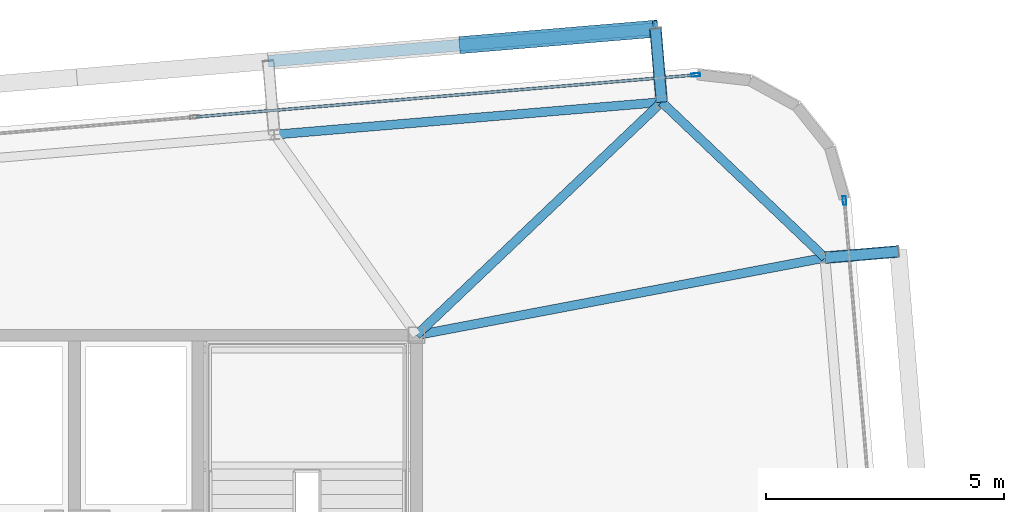
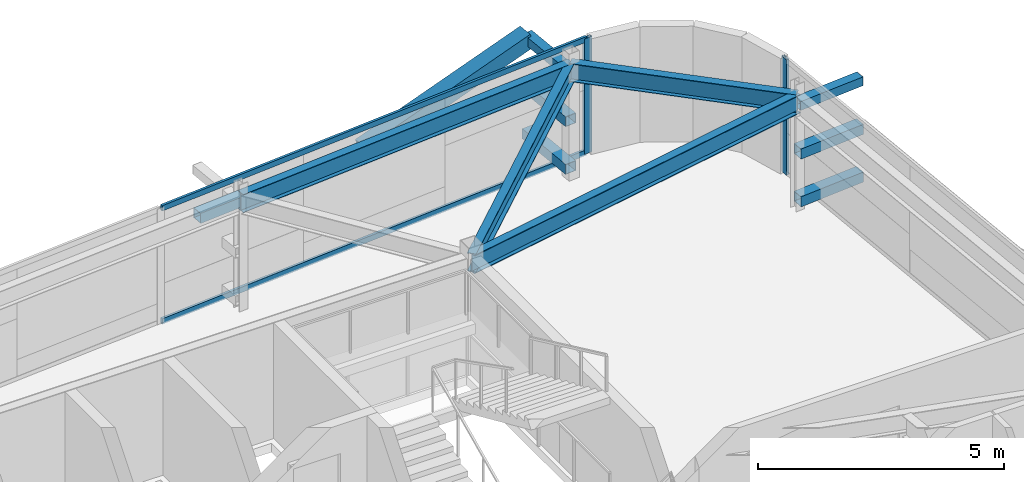
# One storey, part 25 of 39: 12 members, 4 beams, 2 elements without a shape of their own.
"""IFC4 building model written with IfcOpenShell, lengths in metres."""

import ifcopenshell
import ifcopenshell.guid

model = None  # the IFC model being written
_history = None  # IfcOwnerHistory: only IFC2X3 demands one
_inside = {}  # id of a spatial element -> (the spatial element, [elements in it])
_under = {}  # id of a project, library or spatial element -> (it, [spatial elements below it])
_declared = {}  # id of a project -> (the project, [libraries it declares])
_typed = {}  # id of a type object -> (the type object, [elements of that type])
_made_of = {}  # id of a material, layer set ... -> (it, [elements and type objects made of it])


def new_model(schema):
    """Start an empty IFC model of exactly this schema.

    Asked for "IFC4X3", IfcOpenShell would pick the latest addendum, in which some entities
    have other attributes; the version numbers below select the first issue.
    IFC2X3 requires an IfcOwnerHistory on every rooted entity: one is made here for all.
    """
    global model, _history
    if schema == "IFC4X3":
        model = ifcopenshell.file(schema_version=(4, 3, 0, 0))
    else:
        model = ifcopenshell.file(schema=schema)
    _inside.clear()
    _under.clear()
    _declared.clear()
    _typed.clear()
    _made_of.clear()
    _history = None
    if model.schema == "IFC2X3":
        org = make("IfcOrganization", Name="unknown")
        user = make(
            "IfcPersonAndOrganization",
            ThePerson=make("IfcPerson", FamilyName="unknown"),
            TheOrganization=org,
        )
        app = make(
            "IfcApplication",
            ApplicationDeveloper=org,
            Version="unknown",
            ApplicationFullName="unknown",
            ApplicationIdentifier="unknown",
        )
        _history = make(
            "IfcOwnerHistory",
            OwningUser=user,
            OwningApplication=app,
            ChangeAction="ADDED",
            CreationDate=0,
        )
    return model


def make(cls, **values):
    """One entity of the class cls with the attributes given. An attribute that is None is left unset."""
    return model.create_entity(
        cls, **{name: value for name, value in values.items() if value is not None}
    )


def rooted(cls, **values):
    """An entity with a GlobalId (a new one), such as an element, a storey or a relation."""
    return make(cls, GlobalId=ifcopenshell.guid.new(), OwnerHistory=_history, **values)


def si_unit(unit_type, name, prefix=None):
    """IfcSIUnit, for example si_unit("LENGTHUNIT", "METRE", prefix="MILLI")."""
    return make("IfcSIUnit", UnitType=unit_type, Prefix=prefix, Name=name)


def assignment(units):
    """IfcUnitAssignment: the units of a project."""
    return None if units is None else make("IfcUnitAssignment", Units=units)


def point(xyz):
    """IfcCartesianPoint."""
    return None if xyz is None else make("IfcCartesianPoint", Coordinates=xyz)


def direction(xyz):
    """IfcDirection."""
    return None if xyz is None else make("IfcDirection", DirectionRatios=xyz)


def frame(location, z_axis=None, x_axis=None):
    """IfcAxis2Placement3D, a coordinate frame: its origin and axes. An axis left out is left unset."""
    return make(
        "IfcAxis2Placement3D",
        Location=point(location),
        Axis=direction(z_axis),
        RefDirection=direction(x_axis),
    )


def frame_2d(location, x_axis=None):
    """IfcAxis2Placement2D, a coordinate frame in the plane: its origin and x axis."""
    return make(
        "IfcAxis2Placement2D", Location=point(location), RefDirection=direction(x_axis)
    )


def origin():
    """The frame at (0, 0, 0) with its axes left unset."""
    return frame((0.0, 0.0, 0.0))


def origin_2d():
    """The frame at (0, 0) in the plane with its x axis left unset."""
    return frame_2d((0.0, 0.0))


def place(relative_to, where):
    """IfcLocalPlacement: puts the frame where relative to a parent placement (None: the world)."""
    return make(
        "IfcLocalPlacement", PlacementRelTo=relative_to, RelativePlacement=where
    )


def context(
    kind, dimensions, precision=None, world=None, true_north=None, identifier=None
):
    """IfcGeometricRepresentationContext, for example the 3D "Model" context."""
    return make(
        "IfcGeometricRepresentationContext",
        ContextIdentifier=identifier,
        ContextType=kind,
        CoordinateSpaceDimension=dimensions,
        Precision=precision,
        WorldCoordinateSystem=world,
        TrueNorth=true_north,
    )


def subcontext(parent, identifier, kind, view, scale=None):
    """IfcGeometricRepresentationSubContext, for example "Body" below "Model"."""
    return make(
        "IfcGeometricRepresentationSubContext",
        ContextIdentifier=identifier,
        ContextType=kind,
        ParentContext=parent,
        TargetScale=scale,
        TargetView=view,
    )


def project(units=None, contexts=None):
    """IfcProject with its units and contexts."""
    return rooted(
        "IfcProject",
        Name="project",
        RepresentationContexts=contexts,
        UnitsInContext=assignment(units),
    )


def spatial(cls, under=None, at=None, **own):
    """A site, building, storey or space (cls), placed at a placement, below another one or the project."""
    s = rooted(cls, ObjectPlacement=at, **own)
    if under is not None:
        _under.setdefault(under.id(), (under, []))[1].append(s)
    return s


def profile(cls, at=None, kind="AREA", **sizes):
    """A parametric profile (cls). Its sizes go by their IFC names, for example OverallWidth=200.0."""
    return make(cls, ProfileType=kind, Position=at, **sizes)


def hollow_rectangle(**sizes):
    """IfcRectangleHollowProfileDef."""
    return profile("IfcRectangleHollowProfileDef", **sizes)


def i_section(**sizes):
    """IfcIShapeProfileDef."""
    return profile("IfcIShapeProfileDef", **sizes)


def extrude(swept, where, along, depth):
    """IfcExtrudedAreaSolid: the profile swept, set in the frame where, extruded along a direction by depth."""
    return make(
        "IfcExtrudedAreaSolid",
        SweptArea=swept,
        Position=where,
        ExtrudedDirection=direction(along),
        Depth=depth,
    )


def shape(context_of_items, identifier, shape_type, items):
    """IfcShapeRepresentation: the items that make up one representation, for example the "Body"."""
    return make(
        "IfcShapeRepresentation",
        ContextOfItems=context_of_items,
        RepresentationIdentifier=identifier,
        RepresentationType=shape_type,
        Items=items,
    )


def source(mapping_origin, context_of_items, identifier, shape_type, items):
    """IfcRepresentationMap: a shape defined once, which mapped items show again and again."""
    return make(
        "IfcRepresentationMap",
        MappingOrigin=mapping_origin,
        MappedRepresentation=shape(context_of_items, identifier, shape_type, items),
    )


def transform(
    local_origin,
    x_axis=None,
    y_axis=None,
    z_axis=None,
    scale=None,
    scale2=None,
    scale3=None,
    uniform=True,
):
    """IfcCartesianTransformationOperator3D, or its non-uniform kind. x_axis, y_axis, z_axis: its Axis1, 2, 3."""
    if uniform:
        return make(
            "IfcCartesianTransformationOperator3D",
            Axis1=direction(x_axis),
            Axis2=direction(y_axis),
            LocalOrigin=point(local_origin),
            Scale=scale,
            Axis3=direction(z_axis),
        )
    return make(
        "IfcCartesianTransformationOperator3DnonUniform",
        Axis1=direction(x_axis),
        Axis2=direction(y_axis),
        LocalOrigin=point(local_origin),
        Scale=scale,
        Axis3=direction(z_axis),
        Scale2=scale2,
        Scale3=scale3,
    )


def mapped(mapping_source, mapping_target):
    """IfcMappedItem: shows the shape of a source again, moved by a transform."""
    return make(
        "IfcMappedItem", MappingSource=mapping_source, MappingTarget=mapping_target
    )


def material(Name=None, Category=None):
    """IfcMaterial."""
    return make("IfcMaterial", Name=Name, Category=Category)


def layer(
    of_material, thickness, ventilated=None, Name=None, Category=None, Priority=None
):
    """IfcMaterialLayer: one layer of a wall or slab, of a material (None: an air gap)."""
    return make(
        "IfcMaterialLayer",
        Material=of_material,
        LayerThickness=thickness,
        IsVentilated=ventilated,
        Name=Name,
        Category=Category,
        Priority=Priority,
    )


def layer_set(layers, Name=None):
    """IfcMaterialLayerSet."""
    return make("IfcMaterialLayerSet", MaterialLayers=layers, LayerSetName=Name)


def material_profile(
    of_material, cross_section, Name=None, Category=None, Priority=None
):
    """IfcMaterialProfile: a cross section and its material."""
    return make(
        "IfcMaterialProfile",
        Name=Name,
        Material=of_material,
        Profile=cross_section,
        Priority=Priority,
        Category=Category,
    )


def profile_set(profiles, Name=None, composite=None):
    """IfcMaterialProfileSet."""
    return make(
        "IfcMaterialProfileSet",
        Name=Name,
        MaterialProfiles=profiles,
        CompositeProfile=composite,
    )


def made_of(thing, what):
    """Note that an element or type object is made of a material, layer set ...; save() writes the relation."""
    if what is not None:
        _made_of.setdefault(what.id(), (what, []))[1].append(thing)
    return thing


def type_object(cls, material=None, **own):
    """A type object (cls), such as IfcWallType, which elements share."""
    return made_of(rooted(cls, **own), material)


def element(
    cls,
    number,
    at=None,
    inside=None,
    cuts=None,
    type_object=None,
    material=None,
    context=None,
    identifier="Body",
    shape_type=None,
    held_by="IfcProductDefinitionShape",
    body=None,
    shapes=None,
    **own,
):
    """One element of the class cls, such as IfcWall. Its Tag is "e" and its number.

    at: its placement. inside: the storey or other place that contains it. cuts: it is an
    opening in that element (IfcRelVoidsElement). A single representation is given by context,
    identifier, shape_type and body (its items); several are given by shapes. held_by: the class
    of the entity that holds the representations. save() writes the other relations.
    """
    e = rooted(cls, Tag="e%d" % number, ObjectPlacement=at, **own)
    if body is not None:
        shapes = [shape(context, identifier, shape_type, body)]
    if shapes is not None:
        e.Representation = make(held_by, Representations=shapes)
    if inside is not None:
        _inside.setdefault(inside.id(), (inside, []))[1].append(e)
    if cuts is not None:
        rooted(
            "IfcRelVoidsElement", RelatingBuildingElement=cuts, RelatedOpeningElement=e
        )
    if type_object is not None:
        _typed.setdefault(type_object.id(), (type_object, []))[1].append(e)
    return made_of(e, material)


def aggregate(whole, parts):
    """IfcRelAggregates: a whole, such as a stair, and the parts it consists of."""
    return rooted("IfcRelAggregates", RelatingObject=whole, RelatedObjects=parts)


def save(model, path):
    """Write the relations noted so far, then the file.

    IfcRelAggregates (storeys below a building ...), IfcRelContainedInSpatialStructure (elements
    in a storey), IfcRelDefinesByType, IfcRelAssociatesMaterial and IfcRelDeclares: one each for
    every whole, place, type object, material and project.
    """
    for whole, parts in _under.values():
        aggregate(whole, parts)
    for where, things in _inside.values():
        rooted(
            "IfcRelContainedInSpatialStructure",
            RelatedElements=things,
            RelatingStructure=where,
        )
    for kind, things in _typed.values():
        rooted("IfcRelDefinesByType", RelatedObjects=things, RelatingType=kind)
    for what, things in _made_of.values():
        rooted("IfcRelAssociatesMaterial", RelatedObjects=things, RelatingMaterial=what)
    for by, libraries in _declared.values():
        rooted("IfcRelDeclares", RelatingContext=by, RelatedDefinitions=libraries)
    model.write(path)


model = new_model("IFC4")

# Units and contexts
model_context = context("Model", 3, precision=1e-05, world=origin(), true_north=direction((0.0, 1.0)))
body_context = subcontext(model_context, "Body", "Model", "MODEL_VIEW")
ifc_project = project(units=[si_unit("LENGTHUNIT", "METRE"), si_unit("AREAUNIT", "SQUARE_METRE"), si_unit("VOLUMEUNIT", "CUBIC_METRE"), si_unit("PLANEANGLEUNIT", "RADIAN"), si_unit("MASSUNIT", "GRAM", prefix="KILO")], contexts=[model_context])

# Site, building, storey
site_placement = place(None, origin())
site = spatial("IfcSite", under=ifc_project, at=site_placement, CompositionType="ELEMENT")
building_placement = place(site_placement, origin())
building = spatial("IfcBuilding", under=site, at=building_placement, Name="Taldren Reach Tower", CompositionType="ELEMENT")
storey_placement = place(building_placement, frame((0.0, 0.0, 204.050048828125)))
storey = spatial("IfcBuildingStorey", under=building, at=storey_placement, Name="L62", CompositionType="ELEMENT", Elevation=204.050048828125)

# Members
ifc_material_1 = material(Name="Steel Gr 350 (C350L0)", Category="steel")
ifc_material_profile_1 = material_profile(ifc_material_1, hollow_rectangle(XDim=0.25, YDim=0.25, WallThickness=0.010009765625, at=origin_2d()), Name="250x250x10.0SHS")
ifc_profile_set_1 = profile_set([ifc_material_profile_1], Name="Steel Gr 350 (C350L0)")
member_type_1 = type_object("IfcMemberType", Name="MB-POST250", PredefinedType="POST", material=ifc_profile_set_1)
shared_shape_1 = source(origin(), body_context, "Body", "SweptSolid", [
    extrude(hollow_rectangle(XDim=0.25, YDim=0.25, WallThickness=0.010009765625, at=origin_2d()), origin(), (0.0, 0.0, 1.0), 1.5498046875),
])
for number, where, z_axis, x_axis, name in (
    (1, (56.160400390625, 36.906005859375, 0.219970703125), (-0.083645141657, 0.996495604746, 0.0), (-0.996495604746, -0.083645141657, 0.0), "Exoskeleton base diaphragm tie strut B4-N6 L62"),
    (2, (56.160400390625, 36.906005859375, 1.405029296875), (-0.083645141657, 0.996495604746, 0.0), (-0.996495604746, -0.083645141657, 0.0), "Exoskeleton mid-tier diaphragm tie B4-N6 L62"),
):
    element("IfcMember", number, at=place(storey_placement, frame(where, z_axis=z_axis, x_axis=x_axis)), inside=storey, type_object=member_type_1, Name=name, PredefinedType="POST", context=body_context, shape_type="MappedRepresentation", body=[
        mapped(shared_shape_1, transform((0.0, 0.0, 0.0), scale=1.0)),
    ])

# Beams
ifc_material_2 = material(Name="Steel Gr 350 (350PLUS)", Category="steel")
ifc_material_profile_2 = material_profile(ifc_material_2, i_section(OverallWidth=0.18994140625, OverallDepth=0.4541015625, WebThickness=0.008544921875, FlangeThickness=0.0126953125, at=origin_2d()), Name="460UB67.1")
ifc_profile_set_2 = profile_set([ifc_material_profile_2], Name="Steel Gr 350 (350PLUS)")
beam_type_1 = type_object("IfcBeamType", Name="SP-UB460B", PredefinedType="SPANDREL", material=ifc_profile_set_2)
shared_shape_2 = source(origin(), body_context, "Body", "SweptSolid", [
    extrude(i_section(OverallWidth=0.18994140625, OverallDepth=0.4541015625, WebThickness=0.008544921875, FlangeThickness=0.0126953125, at=origin_2d()), origin(), (0.0, 0.0, 1.0), 8.18017578125),
])
beam_1_placement = place(storey_placement, frame((56.160400390625, 36.906005859375, 2.64306640625), z_axis=(-0.996492034688, -0.083687662192, 0.0), x_axis=(0.083687662192, -0.996492034688, 0.0)))
element("IfcBeam", 3, at=beam_1_placement, inside=storey, type_object=beam_type_1, Name="Perimeter spandrel B4 N6-N5 L62", PredefinedType="SPANDREL", context=body_context, shape_type="MappedRepresentation", body=[
    mapped(shared_shape_2, transform((0.0, 0.0, 0.0), scale=1.0)),
])
shared_shape_3 = source(origin(), body_context, "Body", "SweptSolid", [
    extrude(i_section(OverallWidth=0.18994140625, OverallDepth=0.4541015625, WebThickness=0.008544921875, FlangeThickness=0.0126953125, at=origin_2d()), origin(), (0.0, 0.0, 1.0), 4.74609375),
])
beam_2_placement = place(storey_placement, frame((59.596435546875, 33.632080078125, 2.64306640625), z_axis=(-0.723978879349, 0.689822138132, 0.0), x_axis=(-0.689822138132, -0.723978879349, 0.0)))
element("IfcBeam", 4, at=beam_2_placement, inside=storey, type_object=beam_type_1, Name="Perimeter spandrel B4 E3-N6 L62", PredefinedType="SPANDREL", context=body_context, shape_type="MappedRepresentation", body=[
    mapped(shared_shape_3, transform((0.0, 0.0, 0.0), scale=1.0)),
])
ifc_material_profile_3 = material_profile(ifc_material_2, i_section(OverallWidth=0.19091796875, OverallDepth=0.4599609375, WebThickness=0.010009765625, FlangeThickness=0.01611328125, at=origin_2d()), Name="460UB82.1")
ifc_profile_set_3 = profile_set([ifc_material_profile_3], Name="Steel Gr 350 (350PLUS)")
beam_type_2 = type_object("IfcBeamType", Name="BM-UB460A", PredefinedType="BEAM", material=ifc_profile_set_3)
shared_shape_4 = source(origin(), body_context, "Body", "SweptSolid", [
    extrude(i_section(OverallWidth=0.19091796875, OverallDepth=0.4599609375, WebThickness=0.010009765625, FlangeThickness=0.01611328125, at=origin_2d()), origin(), (0.0, 0.0, 1.0), 8.75),
])
beam_3_placement = place(storey_placement, frame((51.0, 32.0, 2.639892578125), z_axis=(0.982450485799, 0.18652357211, 0.0), x_axis=(-0.18652357211, 0.982450485799, 0.0)))
element("IfcBeam", 5, at=beam_3_placement, inside=storey, type_object=beam_type_2, Name="Primary floor girder B4-E3 L62", PredefinedType="BEAM", context=body_context, shape_type="MappedRepresentation", body=[
    mapped(shared_shape_4, transform((0.0, 0.0, 0.0), scale=1.0)),
])
shared_shape_5 = source(origin(), body_context, "Body", "SweptSolid", [
    extrude(i_section(OverallWidth=0.19091796875, OverallDepth=0.4599609375, WebThickness=0.010009765625, FlangeThickness=0.01611328125, at=origin_2d()), origin(), (0.0, 0.0, 1.0), 7.120361328125),
])
beam_4_placement = place(storey_placement, frame((51.0, 32.0, 2.639892578125), z_axis=(0.724745130454, 0.689017050503, 0.0), x_axis=(-0.689017050503, 0.724745130454, 0.0)))
element("IfcBeam", 6, at=beam_4_placement, inside=storey, type_object=beam_type_2, Name="Primary floor girder B4-N6 L62", PredefinedType="BEAM", context=body_context, shape_type="MappedRepresentation", body=[
    mapped(shared_shape_5, transform((0.0, 0.0, 0.0), scale=1.0)),
])

# Members
ifc_material_3 = material(Name="Steel Gr 450 (C450L0)", Category="steel")
ifc_material_profile_4 = material_profile(ifc_material_3, hollow_rectangle(XDim=0.219970703125, YDim=0.219970703125, WallThickness=0.00830078125, at=origin_2d()), Name="220x220x8.2SHS")
ifc_profile_set_4 = profile_set([ifc_material_profile_4], Name="Steel Gr 450 (C450L0)")
member_type_2 = type_object("IfcMemberType", Name="MB-TIE219", PredefinedType="STRUT", material=ifc_profile_set_4)
shared_shape_6 = source(origin(), body_context, "Body", "SweptSolid", [
    extrude(hollow_rectangle(XDim=0.219970703125, YDim=0.219970703125, WallThickness=0.00830078125, at=origin_2d()), origin(), (0.0, 0.0, 1.0), 1.5498046875),
])
member_1_placement = place(storey_placement, frame((56.160400390625, 36.906005859375, 2.58984375), z_axis=(-0.083645141657, 0.996495604746, 0.0), x_axis=(-0.996495604746, -0.083645141657, 0.0)))
element("IfcMember", 7, at=member_1_placement, inside=storey, type_object=member_type_2, Name="Exoskeleton diaphragm tie strut B4-N6 L62", PredefinedType="STRUT", context=body_context, shape_type="MappedRepresentation", body=[
    mapped(shared_shape_6, transform((0.0, 0.0, 0.0), scale=1.0)),
])
shared_shape_7 = source(origin(), body_context, "Body", "SweptSolid", [
    extrude(hollow_rectangle(XDim=0.219970703125, YDim=0.219970703125, WallThickness=0.00830078125, at=origin_2d()), origin(), (0.0, 0.0, 1.0), 1.545166015625),
])
member_2_placement = place(storey_placement, frame((59.60107421875, 33.63232421875, 2.58984375), z_axis=(0.996487766615, 0.083738467783, 0.0), x_axis=(-0.083738467783, 0.996487766615, 0.0)))
element("IfcMember", 8, at=member_2_placement, inside=storey, type_object=member_type_2, Name="Exoskeleton diaphragm tie strut B4-E3 L62", PredefinedType="STRUT", context=body_context, shape_type="MappedRepresentation", body=[
    mapped(shared_shape_7, transform((0.0, 0.0, 0.0), scale=1.0)),
])
shared_shape_8 = source(origin(), body_context, "Body", "SweptSolid", [
    extrude(hollow_rectangle(XDim=0.25, YDim=0.25, WallThickness=0.010009765625, at=origin_2d()), origin(), (0.0, 0.0, 1.0), 8.179931640625),
])
member_3_placement = place(storey_placement, frame((47.87939453125, 37.76611328125, 1.405029296875), z_axis=(0.996494523218, 0.083658025296, 0.0), x_axis=(-0.083658025296, 0.996494523218, 0.0)))
element("IfcMember", 9, at=member_3_placement, inside=storey, type_object=member_type_1, Name="Exoskeleton mid-height ring chord B4-N5 L62", PredefinedType="POST", context=body_context, shape_type="MappedRepresentation", body=[
    mapped(shared_shape_8, transform((0.0, 0.0, 0.0), scale=1.0)),
])
shared_shape_9 = source(origin(), body_context, "Body", "SweptSolid", [
    extrude(hollow_rectangle(XDim=0.25, YDim=0.25, WallThickness=0.010009765625, at=origin_2d()), origin(), (0.0, 0.0, 1.0), 1.545166015625),
])
for number, where, z_axis, x_axis, name in (
    (10, (59.60107421875, 33.63232421875, 0.219970703125), (0.996487766615, 0.083738467783, 0.0), (-0.083738467783, 0.996487766615, 0.0), "Exoskeleton base diaphragm tie strut B4-E3 L62"),
    (11, (59.60107421875, 33.63232421875, 1.405029296875), (0.996487766615, 0.083738467783, 0.0), (-0.083738467783, 0.996487766615, 0.0), "Exoskeleton mid-tier diaphragm tie B4-E3 L62"),
):
    element("IfcMember", number, at=place(storey_placement, frame(where, z_axis=z_axis, x_axis=x_axis)), inside=storey, type_object=member_type_1, Name=name, PredefinedType="POST", context=body_context, shape_type="MappedRepresentation", body=[
        mapped(shared_shape_9, transform((0.0, 0.0, 0.0), scale=1.0)),
    ])
ifc_material_profile_5 = material_profile(ifc_material_3, hollow_rectangle(XDim=0.360107421875, YDim=0.360107421875, WallThickness=0.0126953125, at=origin_2d()), Name="360x360x12.7SHS")
ifc_profile_set_5 = profile_set([ifc_material_profile_5], Name="Steel Gr 450 (C450L0)")
member_type_3 = type_object("IfcMemberType", Name="MB-EXO356", PredefinedType="BRACE", material=ifc_profile_set_5)
shared_shape_10 = source(origin(), body_context, "Body", "SweptSolid", [
    extrude(hollow_rectangle(XDim=0.360107421875, YDim=0.360107421875, WallThickness=0.0126953125, at=origin_2d()), origin(), (0.0, 0.0, 1.0), 4.258056640625),
])
member_4_placement = place(storey_placement, frame((51.955078125, 38.1083984375, 1.405029296875), z_axis=(0.957145399307, 0.080325907777, 0.278245275119), x_axis=(-0.083628388178, 0.996497010879, 0.0)))
element("IfcMember", 12, at=member_4_placement, inside=storey, type_object=member_type_3, Name="Exoskeleton Diagrid Brace B4-N5 L62", PredefinedType="BRACE", context=body_context, shape_type="MappedRepresentation", body=[
    mapped(shared_shape_10, transform((0.0, 0.0, 0.0), scale=1.0)),
])

# Curtain wall, member
ifc_material_4 = material(Name="Aluminium and Low-E Glass Unitised System", Category="aluminium")
ifc_layer = layer(ifc_material_4, 0.159912109375)
ifc_layer_set = layer_set([ifc_layer], Name="Aluminium and Low-E Glass Unitised System")
curtain_wall_type = type_object("IfcCurtainWallType", Name="CW-SYS-5", PredefinedType="NOTDEFINED", material=ifc_layer_set)
curtain_wall_1_placement = place(storey_placement, origin())
curtain_wall_1 = element("IfcCurtainWall", 13, at=curtain_wall_1_placement, inside=storey, type_object=curtain_wall_type, Name="Unitised curtain wall CW-L62-N", PredefinedType="NOTDEFINED")
ifc_material_5 = material(Name="Anodised Aluminium 6063-T6", Category="aluminium")
ifc_material_profile_6 = material_profile(ifc_material_5, hollow_rectangle(XDim=0.070068359375, YDim=0.179931640625, WallThickness=0.00390625, at=origin_2d()), Name="ALU-180x70x4RHS")
ifc_profile_set_6 = profile_set([ifc_material_profile_6], Name="Anodised Aluminium 6063-T6")
member_type_4 = type_object("IfcMemberType", Name="CW-MUL-180", PredefinedType="MULLION", material=ifc_profile_set_6)
shared_shape_11 = source(origin(), body_context, "Body", "SweptSolid", [
    extrude(hollow_rectangle(XDim=0.070068359375, YDim=0.179931640625, WallThickness=0.00390625, at=origin_2d()), origin(), (0.0, 0.0, 1.0), 2.869873046875),
])
member_5_placement = place(storey_placement, frame((56.8798828125, 37.478271484375, 0.0), z_axis=(0.0, 0.0, 1.0), x_axis=(0.083677875247, -0.99649285657, 0.0)))
member_5 = element("IfcMember", 14, at=member_5_placement, type_object=member_type_4, Name="CW-5 mullion 1", PredefinedType="MULLION", context=body_context, shape_type="MappedRepresentation", body=[
    mapped(shared_shape_11, transform((0.0, 0.0, 0.0), scale=1.0)),
])

curtain_wall_2_placement = place(storey_placement, origin())
curtain_wall_2 = element("IfcCurtainWall", 15, at=curtain_wall_2_placement, inside=storey, type_object=curtain_wall_type, Name="Unitised curtain wall CW-L62-E", PredefinedType="NOTDEFINED")
member_6_placement = place(storey_placement, frame((60.007080078125, 34.835693359375, 0.0), z_axis=(0.0, 0.0, 1.0), x_axis=(-0.996492847789, -0.083677979808, 0.0)))
member_6 = element("IfcMember", 16, at=member_6_placement, type_object=member_type_4, Name="CW-5 mullion 3", PredefinedType="MULLION", context=body_context, shape_type="MappedRepresentation", body=[
    mapped(shared_shape_11, transform((0.0, 0.0, 0.0), scale=1.0)),
])
aggregate(curtain_wall_2, [member_6])

# Member
ifc_material_profile_7 = material_profile(ifc_material_5, hollow_rectangle(XDim=0.06005859375, YDim=0.135009765625, WallThickness=0.00341796875, at=origin_2d()), Name="ALU-135x60x3.5RHS")
ifc_profile_set_7 = profile_set([ifc_material_profile_7], Name="Anodised Aluminium 6063-T6")
member_type_5 = type_object("IfcMemberType", Name="CW-TRN-150", PredefinedType="USERDEFINED", material=ifc_profile_set_7)
shared_shape_12 = source(origin(), body_context, "Body", "SweptSolid", [
    extrude(hollow_rectangle(XDim=0.06005859375, YDim=0.135009765625, WallThickness=0.00341796875, at=origin_2d()), origin(), (0.0, 0.0, 1.0), 10.52001953125),
])
member_7_placement = place(storey_placement, frame((56.84521484375, 37.475341796875, 0.030029296875), z_axis=(-0.996492256575, -0.08368502008, 0.0), x_axis=(0.08368502008, -0.996492256575, 0.0)))
member_7 = element("IfcMember", 17, at=member_7_placement, type_object=member_type_5, Name="CW-5 transom 1.1", ObjectType="TRANSOM", PredefinedType="USERDEFINED", context=body_context, shape_type="MappedRepresentation", body=[
    mapped(shared_shape_12, transform((0.0, 0.0, 0.0), scale=1.0)),
])

member_8_placement = place(storey_placement, frame((56.84521484375, 37.475341796875, 2.83984375), z_axis=(-0.996492256575, -0.08368502008, 0.0), x_axis=(0.08368502008, -0.996492256575, 0.0)))
member_8 = element("IfcMember", 18, at=member_8_placement, type_object=member_type_5, Name="CW-5 transom 1.2", ObjectType="TRANSOM", PredefinedType="USERDEFINED", context=body_context, shape_type="MappedRepresentation", body=[
    mapped(shared_shape_12, transform((0.0, 0.0, 0.0), scale=1.0)),
])

aggregate(curtain_wall_1, [member_5, member_7, member_8])

save(model, "model.ifc")
